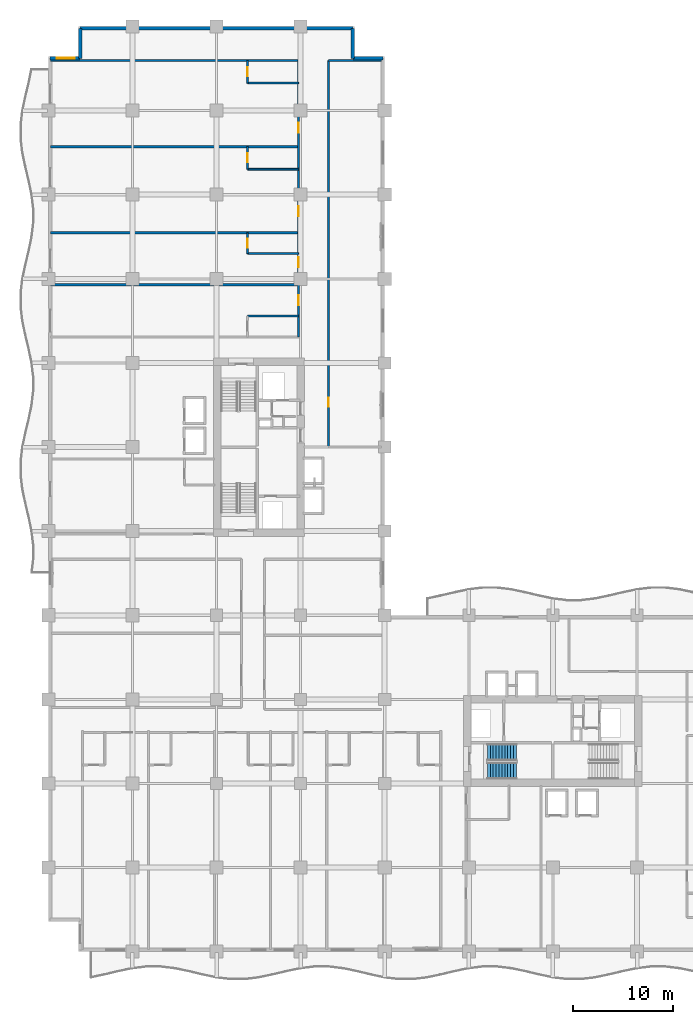
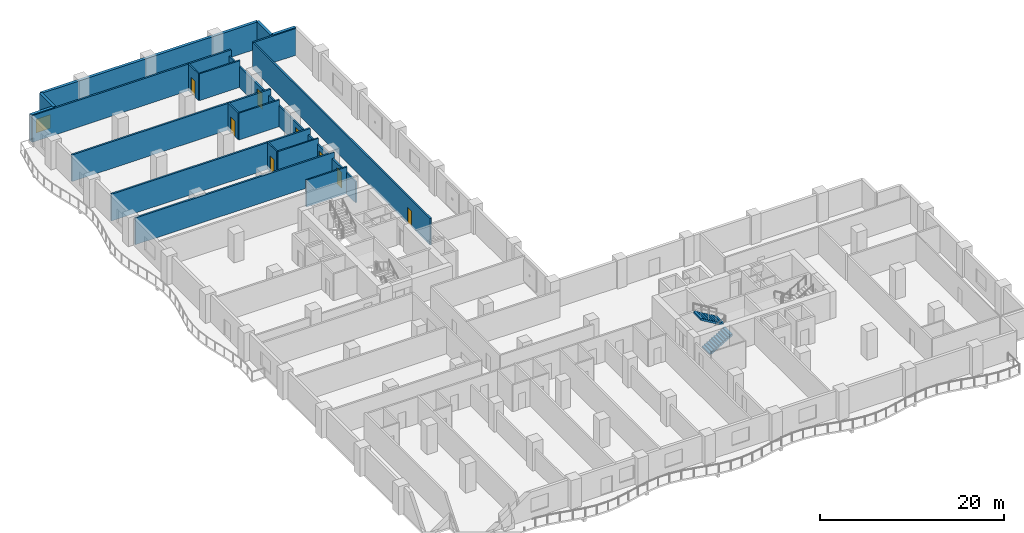
# One storey, part 11 of 17: 19 walls, 8 doors, 2 stair flights, 1 window, 9 openings, 1 element without a shape of its own.
"""IFC4 building model written with IfcOpenShell, lengths in metres."""

from ifc_helpers import new_model, si_unit, direction, frame, frame_2d, origin, place, context, subcontext, project, spatial, polyline, rectangle, outline, extrude, material, layer, layer_set, type_object, element, fill, aggregate, save


model = new_model("IFC4")

# Units and contexts
model_context = context("Model", 3, precision=1e-05, world=origin(), true_north=direction((0.0, 1.0)))
body_context = subcontext(model_context, "Body", "Model", "MODEL_VIEW")
ifc_project = project(units=[si_unit("LENGTHUNIT", "METRE"), si_unit("AREAUNIT", "SQUARE_METRE"), si_unit("VOLUMEUNIT", "CUBIC_METRE"), si_unit("PLANEANGLEUNIT", "RADIAN"), si_unit("MASSUNIT", "GRAM", prefix="KILO")], contexts=[model_context])

# Site, building, storey
site_placement = place(None, origin())
site = spatial("IfcSite", under=ifc_project, at=site_placement, CompositionType="ELEMENT")
building_placement = place(site_placement, origin())
building = spatial("IfcBuilding", under=site, at=building_placement, Name="Koriwani Terraces Tower", CompositionType="ELEMENT")
storey_placement = place(building_placement, frame((0.0, 0.0, 122.800048828125)))
storey = spatial("IfcBuildingStorey", under=building, at=storey_placement, Name="L29", CompositionType="ELEMENT", Elevation=122.800048828125)

# Wall, openings, doors
ifc_material_1 = material(Name="Autoclaved Cellular Concrete Blockwork", Category="masonry")
ifc_layer_1 = layer(ifc_material_1, 0.199951171875, Name="Autoclaved Cellular Concrete Blockwork")
ifc_layer_set_1 = layer_set([ifc_layer_1], Name="Autoclaved Cellular Concrete Blockwork")
wall_type_1 = type_object("IfcWallType", Name="WALL_CORRIDOR_200", PredefinedType="PARTITIONING", material=ifc_layer_set_1)
wall_1_placement = place(storey_placement, frame((25.0, 61.39990234375, 0.0), z_axis=(0.0, 0.0, 1.0), x_axis=(0.0, 1.0, 0.0)))
wall_1 = element("IfcWall", 1, at=wall_1_placement, inside=storey, type_object=wall_type_1, Name="L29 Interior Wall WCOR-L29-NE-0", PredefinedType="PARTITIONING", context=body_context, shape_type="SweptSolid", body=[
    extrude(rectangle(XDim=27.60009765625, YDim=0.199951171875, at=frame_2d((13.800048828125, 0.0))), origin(), (0.0, 0.0, 1.0), 2.800048828125),
])
opening_1_placement = place(wall_1_placement, frame((3.179931640625, 0.0, 0.0)))
opening_1 = element("IfcOpeningElement", 2, at=opening_1_placement, cuts=wall_1, Name="Opening D-05", PredefinedType="OPENING", context=body_context, shape_type="SweptSolid", body=[
    extrude(rectangle(XDim=1.0, YDim=2.14990234375, at=frame_2d((0.5, 1.074951171875))), frame((0.0, 0.10986328125, 0.0), z_axis=(0.0, -1.0, 0.0), x_axis=(1.0, 0.0, 0.0)), (0.0, 0.0, 1.0), 0.219970703125),
])
opening_2_placement = place(wall_1_placement, frame((6.969970703125, 0.0, 0.0)))
opening_2 = element("IfcOpeningElement", 3, at=opening_2_placement, cuts=wall_1, Name="Opening D-05", PredefinedType="OPENING", context=body_context, shape_type="SweptSolid", body=[
    extrude(rectangle(XDim=1.0, YDim=2.14990234375, at=frame_2d((0.5, 1.074951171875))), frame((0.0, 0.10986328125, 0.0), z_axis=(0.0, -1.0, 0.0), x_axis=(1.0, 0.0, 0.0)), (0.0, 0.0, 1.0), 0.219970703125),
])
opening_3_placement = place(wall_1_placement, frame((12.034912109375, 0.0, 0.0)))
opening_3 = element("IfcOpeningElement", 4, at=opening_3_placement, cuts=wall_1, Name="Opening D-05", PredefinedType="OPENING", context=body_context, shape_type="SweptSolid", body=[
    extrude(rectangle(XDim=1.0, YDim=2.14990234375, at=frame_2d((0.5, 1.074951171875))), frame((0.0, 0.10986328125, 0.0), z_axis=(0.0, -1.0, 0.0), x_axis=(1.0, 0.0, 0.0)), (0.0, 0.0, 1.0), 0.219970703125),
])
opening_4_placement = place(wall_1_placement, frame((20.385009765625, 0.0, 0.0)))
opening_4 = element("IfcOpeningElement", 5, at=opening_4_placement, cuts=wall_1, Name="Opening D-05", PredefinedType="OPENING", context=body_context, shape_type="SweptSolid", body=[
    extrude(rectangle(XDim=1.0, YDim=2.14990234375, at=frame_2d((0.5, 1.074951171875))), frame((0.0, 0.10986328125, 0.0), z_axis=(0.0, -1.0, 0.0), x_axis=(1.0, 0.0, 0.0)), (0.0, 0.0, 1.0), 0.219970703125),
])
ifc_material_2 = material(Name="Architectural Oak Fire Door", Category="wood")
door_type_1 = type_object("IfcDoorType", Name="DOOR_SUITE_ENTRY_1000X2150", OperationType="NOTDEFINED", PredefinedType="DOOR", material=ifc_material_2)
door_1_placement = place(opening_1_placement, origin())
door_1 = element("IfcDoor", 6, at=door_1_placement, inside=storey, type_object=door_type_1, Name="Luxury Hotel Suite 29NE1 Entrance Door", OperationType="SINGLE_SWING_LEFT", OverallHeight=2.14990234375, OverallWidth=1.0, PredefinedType="DOOR", context=body_context, shape_type="SweptSolid", body=[
    extrude(rectangle(XDim=1.0, YDim=2.14990234375, at=frame_2d((0.5, 1.074951171875))), frame((0.0, 0.02490234375, 0.0), z_axis=(0.0, -1.0, 0.0), x_axis=(1.0, 0.0, 0.0)), (0.0, 0.0, 1.0), 0.050048828125),
])
fill(opening_1, door_1)
door_2_placement = place(opening_2_placement, origin())
door_2 = element("IfcDoor", 7, at=door_2_placement, inside=storey, type_object=door_type_1, Name="Luxury Hotel Suite 29NE2 Entrance Door", OperationType="SINGLE_SWING_LEFT", OverallHeight=2.14990234375, OverallWidth=1.0, PredefinedType="DOOR", context=body_context, shape_type="SweptSolid", body=[
    extrude(rectangle(XDim=1.0, YDim=2.14990234375, at=frame_2d((0.5, 1.074951171875))), frame((0.0, 0.02490234375, 0.0), z_axis=(0.0, -1.0, 0.0), x_axis=(1.0, 0.0, 0.0)), (0.0, 0.0, 1.0), 0.050048828125),
])
fill(opening_2, door_2)
door_3_placement = place(opening_3_placement, origin())
door_3 = element("IfcDoor", 8, at=door_3_placement, inside=storey, type_object=door_type_1, Name="Luxury Hotel Suite 29NE3 Entrance Door", OperationType="SINGLE_SWING_LEFT", OverallHeight=2.14990234375, OverallWidth=1.0, PredefinedType="DOOR", context=body_context, shape_type="SweptSolid", body=[
    extrude(rectangle(XDim=1.0, YDim=2.14990234375, at=frame_2d((0.5, 1.074951171875))), frame((0.0, 0.02490234375, 0.0), z_axis=(0.0, -1.0, 0.0), x_axis=(1.0, 0.0, 0.0)), (0.0, 0.0, 1.0), 0.050048828125),
])
fill(opening_3, door_3)
door_4_placement = place(opening_4_placement, origin())
door_4 = element("IfcDoor", 9, at=door_4_placement, inside=storey, type_object=door_type_1, Name="Luxury Hotel Suite 29NE4 Entrance Door", OperationType="SINGLE_SWING_LEFT", OverallHeight=2.14990234375, OverallWidth=1.0, PredefinedType="DOOR", context=body_context, shape_type="SweptSolid", body=[
    extrude(rectangle(XDim=1.0, YDim=2.14990234375, at=frame_2d((0.5, 1.074951171875))), frame((0.0, 0.02490234375, 0.0), z_axis=(0.0, -1.0, 0.0), x_axis=(1.0, 0.0, 0.0)), (0.0, 0.0, 1.0), 0.050048828125),
])
fill(opening_4, door_4)

# Wall, opening, door
wall_2_placement = place(storey_placement, frame((28.0, 50.39990234375, 0.0), z_axis=(0.0, 0.0, 1.0), x_axis=(0.0, 1.0, 0.0)))
wall_2 = element("IfcWall", 10, at=wall_2_placement, inside=storey, type_object=wall_type_1, Name="L29 Interior Wall WNEC-W-L29", PredefinedType="PARTITIONING", context=body_context, shape_type="SweptSolid", body=[
    extrude(rectangle(XDim=38.60009765625, YDim=0.199951171875, at=frame_2d((19.300048828125, 0.0))), origin(), (0.0, 0.0, 1.0), 3.550048828125),
])
opening_5_placement = place(wall_2_placement, frame((4.0, 0.0, 0.0)))
opening_5 = element("IfcOpeningElement", 11, at=opening_5_placement, cuts=wall_2, Name="Opening D-06", PredefinedType="OPENING", context=body_context, shape_type="SweptSolid", body=[
    extrude(rectangle(XDim=0.919921875, YDim=2.10009765625, at=frame_2d((0.4599609375, 1.050048828125))), frame((0.0, 0.10986328125, 0.0), z_axis=(0.0, -1.0, 0.0), x_axis=(1.0, 0.0, 0.0)), (0.0, 0.0, 1.0), 0.219970703125),
])
door_type_2 = type_object("IfcDoorType", Name="DOOR_ROOM_INT_920X2100", OperationType="NOTDEFINED", PredefinedType="DOOR", material=ifc_material_2)
door_5_placement = place(opening_5_placement, origin())
door_5 = element("IfcDoor", 12, at=door_5_placement, inside=storey, type_object=door_type_2, Name="L29 North Court Study Door", OperationType="SINGLE_SWING_LEFT", OverallHeight=2.10009765625, OverallWidth=0.919921875, PredefinedType="DOOR", context=body_context, shape_type="SweptSolid", body=[
    extrude(rectangle(XDim=0.919921875, YDim=2.10009765625, at=frame_2d((0.4599609375, 1.050048828125))), frame((0.0, 0.02490234375, 0.0), z_axis=(0.0, -1.0, 0.0), x_axis=(1.0, 0.0, 0.0)), (0.0, 0.0, 1.0), 0.050048828125),
])
fill(opening_5, door_5)

# Walls
ifc_layer_2 = layer(ifc_material_1, 0.219970703125, Name="Autoclaved Cellular Concrete Blockwork")
ifc_layer_set_2 = layer_set([ifc_layer_2], Name="Autoclaved Cellular Concrete Blockwork")
wall_type_2 = type_object("IfcWallType", Name="WALL_DEMISING_220", PredefinedType="PARTITIONING", material=ifc_layer_set_2)
for number, where, z_axis, x_axis, name in (
    (13, (0.199951171875, 66.60009765625, 0.0), (0.0, 0.0, 1.0), (1.0, 0.0, 0.0), "L29 Interior Wall WDEM-L29-NE-1"),
    (14, (0.199951171875, 71.800048828125, 0.0), (0.0, 0.0, 1.0), (1.0, 0.0, 0.0), "L29 Interior Wall WDEM-L29-NE-2"),
    (15, (0.199951171875, 80.39990234375, 0.0), (0.0, 0.0, 1.0), (1.0, 0.0, 0.0), "L29 Interior Wall WDEM-L29-NE-3"),
    (16, (0.199951171875, 89.0, 0.0), (0.0, 0.0, 1.0), (1.0, 0.0, 0.0), "L29 Interior Wall WDEME-L29-NE"),
):
    element("IfcWall", number, at=place(storey_placement, frame(where, z_axis=z_axis, x_axis=x_axis)), inside=storey, type_object=wall_type_2, Name=name, PredefinedType="PARTITIONING", context=body_context, shape_type="SweptSolid", body=[
        extrude(rectangle(XDim=24.97998046875, YDim=0.219970703125, at=frame_2d((12.489990234375, 0.0))), origin(), (0.0, 0.0, 1.0), 3.550048828125),
    ])
wall_3_placement = place(storey_placement, frame((28.0, 89.0, 0.0), z_axis=(0.0, 0.0, 1.0), x_axis=(1.0, 0.0, 0.0)))
element("IfcWall", 17, at=wall_3_placement, inside=storey, type_object=wall_type_2, Name="L29 Interior Wall WNEC-N-L29", PredefinedType="PARTITIONING", context=body_context, shape_type="SweptSolid", body=[
    extrude(rectangle(XDim=5.300048828125, YDim=0.219970703125, at=frame_2d((2.64990234375, 0.0))), origin(), (0.0, 0.0, 1.0), 3.550048828125),
])

# Wall, opening, window
ifc_material_3 = material(Name="Concrete C50/60", Category="concrete")
ifc_layer_3 = layer(ifc_material_3, 0.35009765625, Name="Concrete C50/60")
ifc_layer_set_3 = layer_set([ifc_layer_3], Name="Concrete C50/60")
wall_type_3 = type_object("IfcWallType", Name="WALL_EXT_BRUTALIST_350", PredefinedType="STANDARD", material=ifc_layer_set_3)
wall_4_placement = place(storey_placement, frame((0.175048828125, 89.22509765625, 0.0), z_axis=(0.0, 0.0, 1.0), x_axis=(1.0, 0.0, 0.0)))
wall_4 = element("IfcWall", 18, at=wall_4_placement, inside=storey, type_object=wall_type_3, Name="L29 Fair-Faced Brutalist Exterior Wall (N3)", PredefinedType="STANDARD", context=body_context, shape_type="SweptSolid", body=[
    extrude(rectangle(XDim=3.0, YDim=0.35009765625, at=frame_2d((1.5, 0.0))), origin(), (0.0, 0.0, 1.0), 3.550048828125),
])
opening_6_placement = place(wall_4_placement, frame((0.677490234375, 0.0, 0.85009765625)))
opening_6 = element("IfcOpeningElement", 19, at=opening_6_placement, cuts=wall_4, Name="Opening W-04", PredefinedType="OPENING", context=body_context, shape_type="SweptSolid", body=[
    extrude(rectangle(XDim=1.800048828125, YDim=1.800048828125, at=frame_2d((0.89990234375, 0.89990234375))), frame((0.0, 0.18505859375, 0.0), z_axis=(0.0, -1.0, 0.0), x_axis=(1.0, 0.0, 0.0)), (0.0, 0.0, 1.0), 0.3701171875),
])
ifc_material_4 = material(Name="Tempered Laminated Low-E Glass", Category="glass")
window_type = type_object("IfcWindowType", Name="WIN_RES_BED_1800X1800", PartitioningType="DOUBLE_PANEL_VERTICAL", PredefinedType="WINDOW", material=ifc_material_4)
window_placement = place(opening_6_placement, origin())
window = element("IfcWindow", 20, at=window_placement, inside=storey, type_object=window_type, Name="L29 Exterior Window (N3-R52)", OverallHeight=1.800048828125, OverallWidth=1.800048828125, PartitioningType="SINGLE_PANEL", PredefinedType="WINDOW", context=body_context, shape_type="SweptSolid", body=[
    extrude(rectangle(XDim=1.800048828125, YDim=1.800048828125, at=frame_2d((0.89990234375, 0.89990234375))), frame((0.0, 0.030029296875, 0.0), z_axis=(0.0, -1.0, 0.0), x_axis=(1.0, 0.0, 0.0)), (0.0, 0.0, 1.0), 0.06005859375),
])
fill(opening_6, window)

# Walls
wall_5_placement = place(storey_placement, frame((3.175048828125, 89.22509765625, 0.0), z_axis=(0.0, 0.0, 1.0), x_axis=(0.0, 1.0, 0.0)))
element("IfcWall", 21, at=wall_5_placement, inside=storey, type_object=wall_type_3, Name="L29 Fair-Faced Brutalist Exterior Wall (N4)", PredefinedType="STANDARD", context=body_context, shape_type="SweptSolid", body=[
    extrude(rectangle(XDim=3.0, YDim=0.35009765625, at=frame_2d((1.5, 0.0))), origin(), (0.0, 0.0, 1.0), 3.550048828125),
])
wall_6_placement = place(storey_placement, frame((3.175048828125, 92.22509765625, 0.0), z_axis=(0.0, 0.0, 1.0), x_axis=(1.0, 0.0, 0.0)))
element("IfcWall", 22, at=wall_6_placement, inside=storey, type_object=wall_type_3, Name="L29 Fair-Faced Brutalist Exterior Wall (N_TIP)", PredefinedType="STANDARD", context=body_context, shape_type="SweptSolid", body=[
    extrude(rectangle(XDim=27.25, YDim=0.35009765625, at=frame_2d((13.625, 0.0))), origin(), (0.0, 0.0, 1.0), 3.550048828125),
])
for number, where, z_axis, x_axis, name in (
    (23, (30.425048828125, 92.22509765625, 0.0), (0.0, 0.0, 1.0), (0.0, -1.0, 0.0), "L29 Fair-Faced Brutalist Exterior Wall (N6)"),
    (24, (30.425048828125, 89.22509765625, 0.0), (0.0, 0.0, 1.0), (1.0, 0.0, 0.0), "L29 Fair-Faced Brutalist Exterior Wall (N7)"),
):
    element("IfcWall", number, at=place(storey_placement, frame(where, z_axis=z_axis, x_axis=x_axis)), inside=storey, type_object=wall_type_3, Name=name, PredefinedType="STANDARD", context=body_context, shape_type="SweptSolid", body=[
        extrude(rectangle(XDim=3.0, YDim=0.35009765625, at=frame_2d((1.5, 0.0))), origin(), (0.0, 0.0, 1.0), 3.550048828125),
    ])
ifc_material_5 = material(Name="Fire-Rated Acoustic Gypsum Partition", Category="masonry")
ifc_layer_4 = layer(ifc_material_5, 0.179931640625, Name="Fire-Rated Acoustic Gypsum Partition")
ifc_layer_set_4 = layer_set([ifc_layer_4], Name="Fire-Rated Acoustic Gypsum Partition")
wall_type_4 = type_object("IfcWallType", Name="WALL_PLUMBING_180", PredefinedType="PLUMBINGWALL", material=ifc_layer_set_4)
wall_7_placement = place(storey_placement, frame((19.89990234375, 63.47998046875, 0.0), z_axis=(0.0, 0.0, 1.0), x_axis=(1.0, 0.0, 0.0)))
element("IfcWall", 25, at=wall_7_placement, inside=storey, type_object=wall_type_4, Name="L29 Interior Wall WBTH2-L29-NE-0", PredefinedType="PLUMBINGWALL", context=body_context, shape_type="SweptSolid", body=[
    extrude(rectangle(XDim=5.10009765625, YDim=0.179931640625, at=frame_2d((2.550048828125, 0.0))), origin(), (0.0, 0.0, 1.0), 3.550048828125),
])

# Wall, opening, door
wall_8_placement = place(storey_placement, frame((19.89990234375, 69.719970703125, 0.0), z_axis=(0.0, 0.0, 1.0), x_axis=(0.0, 1.0, 0.0)))
wall_8 = element("IfcWall", 26, at=wall_8_placement, inside=storey, type_object=wall_type_4, Name="L29 Interior Wall WBTH1-L29-NE-1", PredefinedType="PLUMBINGWALL", context=body_context, shape_type="SweptSolid", body=[
    extrude(rectangle(XDim=2.080078125, YDim=0.179931640625, at=frame_2d((1.0400390625, 0.0))), origin(), (0.0, 0.0, 1.0), 3.550048828125),
])
opening_7_placement = place(wall_8_placement, frame((0.590087890625, 0.0, 0.0)))
opening_7 = element("IfcOpeningElement", 27, at=opening_7_placement, cuts=wall_8, Name="Opening D-07", PredefinedType="OPENING", context=body_context, shape_type="SweptSolid", body=[
    extrude(rectangle(XDim=0.89990234375, YDim=2.10009765625, at=frame_2d((0.449951171875, 1.050048828125))), frame((0.0, 0.10009765625, 0.0), z_axis=(0.0, -1.0, 0.0), x_axis=(1.0, 0.0, 0.0)), (0.0, 0.0, 1.0), 0.199951171875),
])
door_type_3 = type_object("IfcDoorType", Name="DOOR_BATH_INT_900X2100", OperationType="NOTDEFINED", PredefinedType="DOOR", material=ifc_material_2)
door_6_placement = place(opening_7_placement, origin())
door_6 = element("IfcDoor", 28, at=door_6_placement, inside=storey, type_object=door_type_3, Name="En-Suite Bathroom 29NE2 Door", OperationType="SINGLE_SWING_RIGHT", OverallHeight=2.10009765625, OverallWidth=0.89990234375, PredefinedType="DOOR", context=body_context, shape_type="SweptSolid", body=[
    extrude(rectangle(XDim=0.89990234375, YDim=2.10009765625, at=frame_2d((0.449951171875, 1.050048828125))), frame((0.0, 0.02490234375, 0.0), z_axis=(0.0, -1.0, 0.0), x_axis=(1.0, 0.0, 0.0)), (0.0, 0.0, 1.0), 0.050048828125),
])
fill(opening_7, door_6)

# Wall
wall_9_placement = place(storey_placement, frame((19.89990234375, 69.719970703125, 0.0), z_axis=(0.0, 0.0, 1.0), x_axis=(1.0, 0.0, 0.0)))
element("IfcWall", 29, at=wall_9_placement, inside=storey, type_object=wall_type_4, Name="L29 Interior Wall WBTH2-L29-NE-1", PredefinedType="PLUMBINGWALL", context=body_context, shape_type="SweptSolid", body=[
    extrude(rectangle(XDim=5.10009765625, YDim=0.179931640625, at=frame_2d((2.550048828125, 0.0))), origin(), (0.0, 0.0, 1.0), 3.550048828125),
])

# Wall, opening, door
wall_10_placement = place(storey_placement, frame((19.89990234375, 78.14990234375, 0.0), z_axis=(0.0, 0.0, 1.0), x_axis=(0.0, 1.0, 0.0)))
wall_10 = element("IfcWall", 30, at=wall_10_placement, inside=storey, type_object=wall_type_4, Name="L29 Interior Wall WBTH1-L29-NE-2", PredefinedType="PLUMBINGWALL", context=body_context, shape_type="SweptSolid", body=[
    extrude(rectangle(XDim=2.25, YDim=0.179931640625, at=frame_2d((1.125, 0.0))), origin(), (0.0, 0.0, 1.0), 3.550048828125),
])
opening_8_placement = place(wall_10_placement, frame((0.675048828125, 0.0, 0.0)))
opening_8 = element("IfcOpeningElement", 31, at=opening_8_placement, cuts=wall_10, Name="Opening D-07", PredefinedType="OPENING", context=body_context, shape_type="SweptSolid", body=[
    extrude(rectangle(XDim=0.89990234375, YDim=2.10009765625, at=frame_2d((0.449951171875, 1.050048828125))), frame((0.0, 0.10009765625, 0.0), z_axis=(0.0, -1.0, 0.0), x_axis=(1.0, 0.0, 0.0)), (0.0, 0.0, 1.0), 0.199951171875),
])
door_7_placement = place(opening_8_placement, origin())
door_7 = element("IfcDoor", 32, at=door_7_placement, inside=storey, type_object=door_type_3, Name="En-Suite Bathroom 29NE3 Door", OperationType="SINGLE_SWING_RIGHT", OverallHeight=2.10009765625, OverallWidth=0.89990234375, PredefinedType="DOOR", context=body_context, shape_type="SweptSolid", body=[
    extrude(rectangle(XDim=0.89990234375, YDim=2.10009765625, at=frame_2d((0.449951171875, 1.050048828125))), frame((0.0, 0.02490234375, 0.0), z_axis=(0.0, -1.0, 0.0), x_axis=(1.0, 0.0, 0.0)), (0.0, 0.0, 1.0), 0.050048828125),
])
fill(opening_8, door_7)

# Wall
wall_11_placement = place(storey_placement, frame((19.89990234375, 78.14990234375, 0.0), z_axis=(0.0, 0.0, 1.0), x_axis=(1.0, 0.0, 0.0)))
element("IfcWall", 33, at=wall_11_placement, inside=storey, type_object=wall_type_4, Name="L29 Interior Wall WBTH2-L29-NE-2", PredefinedType="PLUMBINGWALL", context=body_context, shape_type="SweptSolid", body=[
    extrude(rectangle(XDim=5.10009765625, YDim=0.179931640625, at=frame_2d((2.550048828125, 0.0))), origin(), (0.0, 0.0, 1.0), 3.550048828125),
])

# Wall, opening, door
wall_12_placement = place(storey_placement, frame((19.89990234375, 86.75, 0.0), z_axis=(0.0, 0.0, 1.0), x_axis=(0.0, 1.0, 0.0)))
wall_12 = element("IfcWall", 34, at=wall_12_placement, inside=storey, type_object=wall_type_4, Name="L29 Interior Wall WBTH1-L29-NE-3", PredefinedType="PLUMBINGWALL", context=body_context, shape_type="SweptSolid", body=[
    extrude(rectangle(XDim=2.25, YDim=0.179931640625, at=frame_2d((1.125, 0.0))), origin(), (0.0, 0.0, 1.0), 3.550048828125),
])
opening_9_placement = place(wall_12_placement, frame((0.675048828125, 0.0, 0.0)))
opening_9 = element("IfcOpeningElement", 35, at=opening_9_placement, cuts=wall_12, Name="Opening D-07", PredefinedType="OPENING", context=body_context, shape_type="SweptSolid", body=[
    extrude(rectangle(XDim=0.89990234375, YDim=2.10009765625, at=frame_2d((0.449951171875, 1.050048828125))), frame((0.0, 0.10009765625, 0.0), z_axis=(0.0, -1.0, 0.0), x_axis=(1.0, 0.0, 0.0)), (0.0, 0.0, 1.0), 0.199951171875),
])
door_8_placement = place(opening_9_placement, origin())
door_8 = element("IfcDoor", 36, at=door_8_placement, inside=storey, type_object=door_type_3, Name="En-Suite Bathroom 29NE4 Door", OperationType="SINGLE_SWING_RIGHT", OverallHeight=2.10009765625, OverallWidth=0.89990234375, PredefinedType="DOOR", context=body_context, shape_type="SweptSolid", body=[
    extrude(rectangle(XDim=0.89990234375, YDim=2.10009765625, at=frame_2d((0.449951171875, 1.050048828125))), frame((0.0, 0.02490234375, 0.0), z_axis=(0.0, -1.0, 0.0), x_axis=(1.0, 0.0, 0.0)), (0.0, 0.0, 1.0), 0.050048828125),
])
fill(opening_9, door_8)

# Wall
wall_13_placement = place(storey_placement, frame((19.89990234375, 86.75, 0.0), z_axis=(0.0, 0.0, 1.0), x_axis=(1.0, 0.0, 0.0)))
element("IfcWall", 37, at=wall_13_placement, inside=storey, type_object=wall_type_4, Name="L29 Interior Wall WBTH2-L29-NE-3", PredefinedType="PLUMBINGWALL", context=body_context, shape_type="SweptSolid", body=[
    extrude(rectangle(XDim=5.10009765625, YDim=0.179931640625, at=frame_2d((2.550048828125, 0.0))), origin(), (0.0, 0.0, 1.0), 3.550048828125),
])

# Stair, stair flights
ifc_material_6 = material(Name="Concrete C40/50", Category="concrete")
stair_type = type_object("IfcStairType", Name="STAIR_CORE_DOGLEG_1650", PredefinedType="TWO_STRAIGHT_RUN_STAIR", material=ifc_material_6)
stair_placement = place(storey_placement, origin())
stair = element("IfcStair", 38, at=stair_placement, inside=storey, type_object=stair_type, Name="L29 East Core Exit Stair 1", PredefinedType="HALF_TURN_STAIR")
stair_flight_type = type_object("IfcStairFlightType", Name="STAIR_FLIGHT_RC_1650", PredefinedType="STRAIGHT", material=ifc_material_6)
stair_flight_1_placement = place(storey_placement, frame((43.85009765625, 18.074951171875, 0.0), z_axis=(0.0, 0.0, 1.0), x_axis=(1.0, 0.0, 0.0)))
stair_flight_1 = element("IfcStairFlight", 39, at=stair_flight_1_placement, type_object=stair_flight_type, Name="ST-E1 flight 1", NumberOfRisers=11, NumberOfTreads=10, PredefinedType="STRAIGHT", RiserHeight=0.172727273, TreadLength=0.29, context=body_context, shape_type="SweptSolid", body=[
    extrude(outline(polyline([(0.0, 0.0), (0.0, 0.172607421875), (0.2900390625, 0.172607421875), (0.2900390625, 0.345458984375), (0.580078125, 0.345458984375), (0.580078125, 0.51806640625), (0.8701171875, 0.51806640625), (0.8701171875, 0.69091796875), (1.159912109375, 0.69091796875), (1.159912109375, 0.863525390625), (1.449951171875, 0.863525390625), (1.449951171875, 1.036376953125), (1.739990234375, 1.036376953125), (1.739990234375, 1.208984375), (2.030029296875, 1.208984375), (2.030029296875, 1.3818359375), (2.320068359375, 1.3818359375), (2.320068359375, 1.554443359375), (2.610107421875, 1.554443359375), (2.610107421875, 1.727294921875), (2.89990234375, 1.727294921875), (2.89990234375, 1.89990234375), (2.89990234375, 1.517822265625), (0.3515625, 0.0), (0.0, 0.0)])), frame((0.0, 0.824951171875, 0.0), z_axis=(0.0, -1.0, 0.0), x_axis=(1.0, 0.0, 0.0)), (0.0, 0.0, 1.0), 1.64990234375),
])
stair_flight_2_placement = place(storey_placement, frame((46.75, 19.925048828125, 1.89990234375), z_axis=(0.0, 0.0, 1.0), x_axis=(-1.0, 0.0, 0.0)))
stair_flight_2 = element("IfcStairFlight", 40, at=stair_flight_2_placement, type_object=stair_flight_type, Name="ST-E1 flight 2", NumberOfRisers=11, NumberOfTreads=10, PredefinedType="STRAIGHT", RiserHeight=0.172727273, TreadLength=0.29, context=body_context, shape_type="SweptSolid", body=[
    extrude(outline(polyline([(0.0, 0.0), (0.0, 0.172607421875), (0.2900390625, 0.172607421875), (0.2900390625, 0.345458984375), (0.580078125, 0.345458984375), (0.580078125, 0.51806640625), (0.8701171875, 0.51806640625), (0.8701171875, 0.69091796875), (1.159912109375, 0.69091796875), (1.159912109375, 0.863525390625), (1.449951171875, 0.863525390625), (1.449951171875, 1.036376953125), (1.739990234375, 1.036376953125), (1.739990234375, 1.208984375), (2.030029296875, 1.208984375), (2.030029296875, 1.3818359375), (2.320068359375, 1.3818359375), (2.320068359375, 1.554443359375), (2.610107421875, 1.554443359375), (2.610107421875, 1.727294921875), (2.89990234375, 1.727294921875), (2.89990234375, 1.89990234375), (2.89990234375, 1.517822265625), (0.3515625, 0.0), (0.0, 0.0)])), frame((0.0, 0.824951171875, 0.0), z_axis=(0.0, -1.0, 0.0), x_axis=(1.0, 0.0, 0.0)), (0.0, 0.0, 1.0), 1.64990234375),
])
aggregate(stair, [stair_flight_1, stair_flight_2])

save(model, "model.ifc")
